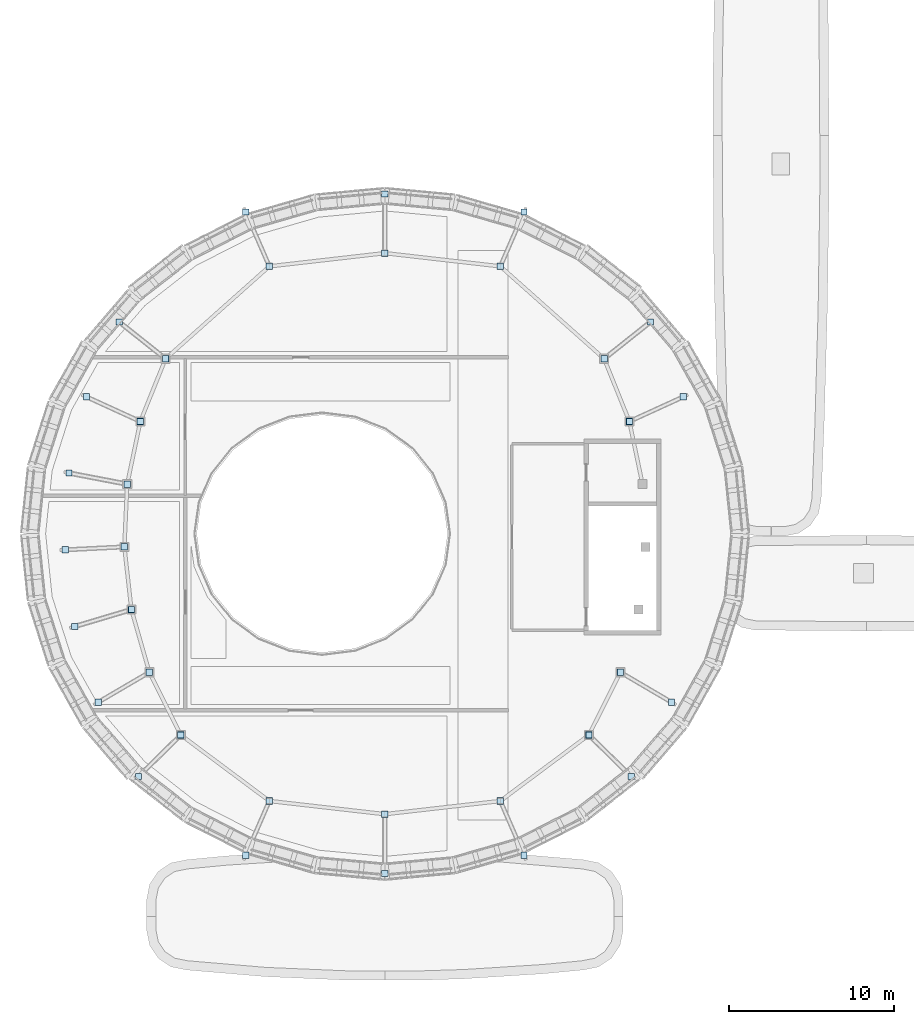
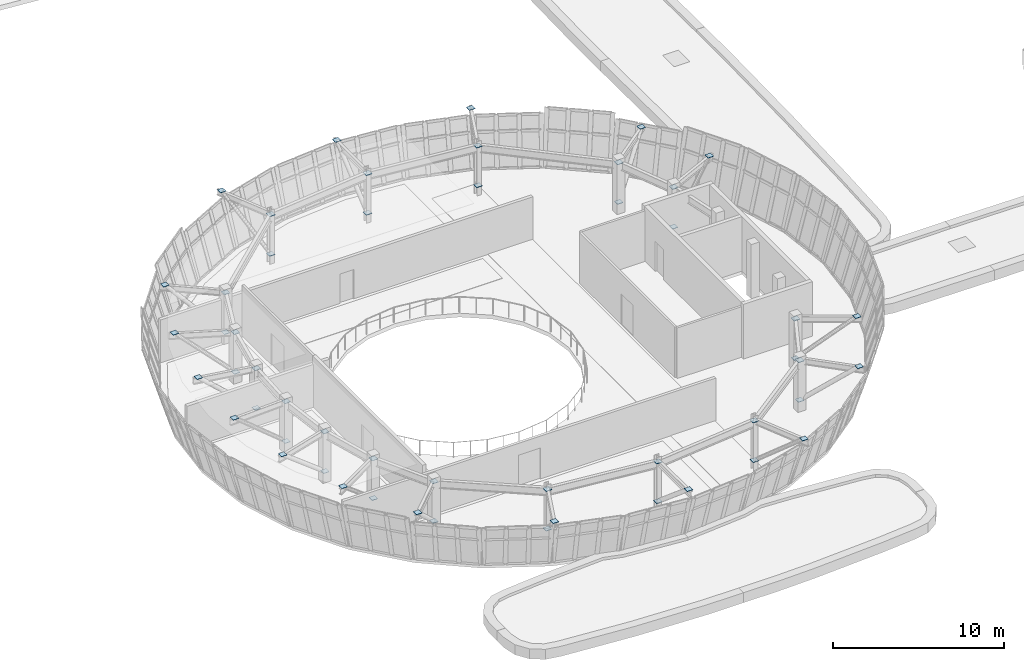
# One storey, part 81 of 111: 51 plates.
"""IFC4 building model written with IfcOpenShell, lengths in metres."""

from ifc_helpers import new_model, si_unit, direction, frame, origin, origin_2d, place, context, subcontext, project, spatial, rectangle, extrude, material, layer, layer_set, type_object, element, save


model = new_model("IFC4")

# Units and contexts
model_context = context("Model", 3, precision=1e-05, world=origin(), true_north=direction((0.0, 1.0)))
body_context = subcontext(model_context, "Body", "Model", "MODEL_VIEW")
ifc_project = project(units=[si_unit("LENGTHUNIT", "METRE"), si_unit("AREAUNIT", "SQUARE_METRE"), si_unit("VOLUMEUNIT", "CUBIC_METRE"), si_unit("PLANEANGLEUNIT", "RADIAN"), si_unit("MASSUNIT", "GRAM", prefix="KILO")], contexts=[model_context])

# Site, building, storey
site_placement = place(None, origin())
site = spatial("IfcSite", under=ifc_project, at=site_placement, CompositionType="ELEMENT")
building_placement = place(site_placement, origin())
building = spatial("IfcBuilding", under=site, at=building_placement, Name="Corveleigh Park Community Centre", CompositionType="ELEMENT")
storey_placement = place(building_placement, frame((0.0, 0.0, 4.800048828125)))
storey = spatial("IfcBuildingStorey", under=building, at=storey_placement, Name="L01", CompositionType="ELEMENT", Elevation=4.800048828125)

# Plates
ifc_material = material(Name="Steel S355", Category="steel")
ifc_layer = layer(ifc_material, 0.028076171875, Name="Steel S355", Category="steel")
ifc_layer_set = layer_set([ifc_layer], Name="Steel S355")
plate_type = type_object("IfcPlateType", Name="PLT-CAP-28", PredefinedType="SHEET", material=ifc_layer_set)
plate_1_placement = place(storey_placement, frame((24.0, 11.39990234375, 3.47509765625), z_axis=(0.0, 0.0, 1.0), x_axis=(1.0, 0.0, 0.0)))
element("IfcPlate", 1, at=plate_1_placement, inside=storey, type_object=plate_type, Name="V1 Outrigger 1 pier end plate", PredefinedType="SHEET", context=body_context, shape_type="SweptSolid", body=[
    extrude(rectangle(XDim=0.39990234375, YDim=0.39990234375, at=origin_2d()), origin(), (0.0, 0.0, 1.0), 0.028076171875),
])
for number, where, z_axis, x_axis, name in (
    (2, (24.0, 11.39990234375, 0.6357421875), (0.0, 0.0, 1.0), (1.0, 0.0, 0.0), "V1 Conical Overhang Raking Strut 1 base cap"),
    (3, (22.571044921875, 8.10888671875, 3.666015625), (0.0, 0.0, 1.0), (1.0, 0.0, 0.0), "V1 Conical Overhang Raking Strut 1 tip cap"),
):
    element("IfcPlate", number, at=place(storey_placement, frame(where, z_axis=z_axis, x_axis=x_axis)), inside=storey, type_object=plate_type, Name=name, PredefinedType="SHEET", context=body_context, shape_type="SweptSolid", body=[
        extrude(rectangle(XDim=0.3798828125, YDim=0.3798828125, at=origin_2d()), origin(), (0.0, 0.0, 1.0), 0.028076171875),
    ])
plate_2_placement = place(storey_placement, frame((31.0, 10.60009765625, 3.47509765625), z_axis=(0.0, 0.0, 1.0), x_axis=(1.0, 0.0, 0.0)))
element("IfcPlate", 4, at=plate_2_placement, inside=storey, type_object=plate_type, Name="V1 Outrigger 2 pier end plate", PredefinedType="SHEET", context=body_context, shape_type="SweptSolid", body=[
    extrude(rectangle(XDim=0.39990234375, YDim=0.39990234375, at=origin_2d()), origin(), (0.0, 0.0, 1.0), 0.028076171875),
])
for number, where, z_axis, x_axis, name in (
    (5, (31.0, 10.60009765625, 0.6357421875), (0.0, 0.0, 1.0), (1.0, 0.0, 0.0), "V1 Conical Overhang Raking Strut 2 base cap"),
    (6, (31.0, 7.011962890625, 3.666015625), (0.0, 0.0, 1.0), (1.0, 0.0, 0.0), "V1 Conical Overhang Raking Strut 2 tip cap"),
):
    element("IfcPlate", number, at=place(storey_placement, frame(where, z_axis=z_axis, x_axis=x_axis)), inside=storey, type_object=plate_type, Name=name, PredefinedType="SHEET", context=body_context, shape_type="SweptSolid", body=[
        extrude(rectangle(XDim=0.3798828125, YDim=0.3798828125, at=origin_2d()), origin(), (0.0, 0.0, 1.0), 0.028076171875),
    ])
plate_3_placement = place(storey_placement, frame((38.0, 11.39990234375, 3.47509765625), z_axis=(0.0, 0.0, 1.0), x_axis=(1.0, 0.0, 0.0)))
element("IfcPlate", 7, at=plate_3_placement, inside=storey, type_object=plate_type, Name="V1 Outrigger 3 pier end plate", PredefinedType="SHEET", context=body_context, shape_type="SweptSolid", body=[
    extrude(rectangle(XDim=0.39990234375, YDim=0.39990234375, at=origin_2d()), origin(), (0.0, 0.0, 1.0), 0.028076171875),
])
for number, where, z_axis, x_axis, name in (
    (8, (38.0, 11.39990234375, 0.6357421875), (0.0, 0.0, 1.0), (1.0, 0.0, 0.0), "V1 Conical Overhang Raking Strut 3 base cap"),
    (9, (39.428955078125, 8.10888671875, 3.666015625), (0.0, 0.0, 1.0), (1.0, 0.0, 0.0), "V1 Conical Overhang Raking Strut 3 tip cap"),
):
    element("IfcPlate", number, at=place(storey_placement, frame(where, z_axis=z_axis, x_axis=x_axis)), inside=storey, type_object=plate_type, Name=name, PredefinedType="SHEET", context=body_context, shape_type="SweptSolid", body=[
        extrude(rectangle(XDim=0.3798828125, YDim=0.3798828125, at=origin_2d()), origin(), (0.0, 0.0, 1.0), 0.028076171875),
    ])
plate_4_placement = place(storey_placement, frame((43.365966796875, 15.39990234375, 3.47509765625), z_axis=(0.0, 0.0, 1.0), x_axis=(1.0, 0.0, 0.0)))
element("IfcPlate", 10, at=plate_4_placement, inside=storey, type_object=plate_type, Name="V1 Outrigger 4 pier end plate", PredefinedType="SHEET", context=body_context, shape_type="SweptSolid", body=[
    extrude(rectangle(XDim=0.39990234375, YDim=0.39990234375, at=origin_2d()), origin(), (0.0, 0.0, 1.0), 0.028076171875),
])
for number, where, z_axis, x_axis, name in (
    (11, (43.365966796875, 15.39990234375, 0.6357421875), (0.0, 0.0, 1.0), (1.0, 0.0, 0.0), "V1 Conical Overhang Raking Strut 4 base cap"),
    (12, (45.925048828125, 12.885986328125, 3.666015625), (0.0, 0.0, 1.0), (1.0, 0.0, 0.0), "V1 Conical Overhang Raking Strut 4 tip cap"),
):
    element("IfcPlate", number, at=place(storey_placement, frame(where, z_axis=z_axis, x_axis=x_axis)), inside=storey, type_object=plate_type, Name=name, PredefinedType="SHEET", context=body_context, shape_type="SweptSolid", body=[
        extrude(rectangle(XDim=0.3798828125, YDim=0.3798828125, at=origin_2d()), origin(), (0.0, 0.0, 1.0), 0.028076171875),
    ])
plate_5_placement = place(storey_placement, frame((45.27490234375, 19.199951171875, 3.47509765625), z_axis=(0.0, 0.0, 1.0), x_axis=(1.0, 0.0, 0.0)))
element("IfcPlate", 13, at=plate_5_placement, inside=storey, type_object=plate_type, Name="V1 Outrigger 5 pier end plate", PredefinedType="SHEET", context=body_context, shape_type="SweptSolid", body=[
    extrude(rectangle(XDim=0.39990234375, YDim=0.39990234375, at=origin_2d()), origin(), (0.0, 0.0, 1.0), 0.028076171875),
])
for number, where, z_axis, x_axis, name in (
    (14, (45.27490234375, 19.199951171875, 0.6357421875), (0.0, 0.0, 1.0), (1.0, 0.0, 0.0), "V1 Conical Overhang Raking Strut 5 base cap"),
    (15, (48.37109375, 17.385986328125, 3.666015625), (0.0, 0.0, 1.0), (1.0, 0.0, 0.0), "V1 Conical Overhang Raking Strut 5 tip cap"),
):
    element("IfcPlate", number, at=place(storey_placement, frame(where, z_axis=z_axis, x_axis=x_axis)), inside=storey, type_object=plate_type, Name=name, PredefinedType="SHEET", context=body_context, shape_type="SweptSolid", body=[
        extrude(rectangle(XDim=0.3798828125, YDim=0.3798828125, at=origin_2d()), origin(), (0.0, 0.0, 1.0), 0.028076171875),
    ])
plate_6_placement = place(storey_placement, frame((45.819091796875, 34.39990234375, 3.47509765625), z_axis=(0.0, 0.0, 1.0), x_axis=(1.0, 0.0, 0.0)))
element("IfcPlate", 16, at=plate_6_placement, inside=storey, type_object=plate_type, Name="V1 Outrigger 9 pier end plate", PredefinedType="SHEET", context=body_context, shape_type="SweptSolid", body=[
    extrude(rectangle(XDim=0.39990234375, YDim=0.39990234375, at=origin_2d()), origin(), (0.0, 0.0, 1.0), 0.028076171875),
])
for number, where, z_axis, x_axis, name in (
    (17, (45.819091796875, 34.39990234375, 0.6357421875), (0.0, 0.0, 1.0), (1.0, 0.0, 0.0), "V1 Conical Overhang Raking Strut 9 base cap"),
    (18, (49.08203125, 35.89111328125, 3.666015625), (0.0, 0.0, 1.0), (1.0, 0.0, 0.0), "V1 Conical Overhang Raking Strut 9 tip cap"),
):
    element("IfcPlate", number, at=place(storey_placement, frame(where, z_axis=z_axis, x_axis=x_axis)), inside=storey, type_object=plate_type, Name=name, PredefinedType="SHEET", context=body_context, shape_type="SweptSolid", body=[
        extrude(rectangle(XDim=0.3798828125, YDim=0.3798828125, at=origin_2d()), origin(), (0.0, 0.0, 1.0), 0.028076171875),
    ])
plate_7_placement = place(storey_placement, frame((44.2900390625, 38.199951171875, 3.47509765625), z_axis=(0.0, 0.0, 1.0), x_axis=(1.0, 0.0, 0.0)))
element("IfcPlate", 19, at=plate_7_placement, inside=storey, type_object=plate_type, Name="V1 Outrigger 10 pier end plate", PredefinedType="SHEET", context=body_context, shape_type="SweptSolid", body=[
    extrude(rectangle(XDim=0.39990234375, YDim=0.39990234375, at=origin_2d()), origin(), (0.0, 0.0, 1.0), 0.028076171875),
])
for number, where, z_axis, x_axis, name in (
    (20, (44.2900390625, 38.199951171875, 0.6357421875), (0.0, 0.0, 1.0), (1.0, 0.0, 0.0), "V1 Conical Overhang Raking Strut 10 base cap"),
    (21, (47.10009765625, 40.431884765625, 3.666015625), (0.0, 0.0, 1.0), (1.0, 0.0, 0.0), "V1 Conical Overhang Raking Strut 10 tip cap"),
):
    element("IfcPlate", number, at=place(storey_placement, frame(where, z_axis=z_axis, x_axis=x_axis)), inside=storey, type_object=plate_type, Name=name, PredefinedType="SHEET", context=body_context, shape_type="SweptSolid", body=[
        extrude(rectangle(XDim=0.3798828125, YDim=0.3798828125, at=origin_2d()), origin(), (0.0, 0.0, 1.0), 0.028076171875),
    ])
plate_8_placement = place(storey_placement, frame((38.0, 43.800048828125, 3.47509765625), z_axis=(0.0, 0.0, 1.0), x_axis=(1.0, 0.0, 0.0)))
element("IfcPlate", 22, at=plate_8_placement, inside=storey, type_object=plate_type, Name="V1 Outrigger 11 pier end plate", PredefinedType="SHEET", context=body_context, shape_type="SweptSolid", body=[
    extrude(rectangle(XDim=0.39990234375, YDim=0.39990234375, at=origin_2d()), origin(), (0.0, 0.0, 1.0), 0.028076171875),
])
for number, where, z_axis, x_axis, name in (
    (23, (38.0, 43.800048828125, 0.6357421875), (0.0, 0.0, 1.0), (1.0, 0.0, 0.0), "V1 Conical Overhang Raking Strut 11 base cap"),
    (24, (39.428955078125, 47.091064453125, 3.666015625), (0.0, 0.0, 1.0), (1.0, 0.0, 0.0), "V1 Conical Overhang Raking Strut 11 tip cap"),
):
    element("IfcPlate", number, at=place(storey_placement, frame(where, z_axis=z_axis, x_axis=x_axis)), inside=storey, type_object=plate_type, Name=name, PredefinedType="SHEET", context=body_context, shape_type="SweptSolid", body=[
        extrude(rectangle(XDim=0.3798828125, YDim=0.3798828125, at=origin_2d()), origin(), (0.0, 0.0, 1.0), 0.028076171875),
    ])
plate_9_placement = place(storey_placement, frame((31.0, 44.60009765625, 3.47509765625), z_axis=(0.0, 0.0, 1.0), x_axis=(1.0, 0.0, 0.0)))
element("IfcPlate", 25, at=plate_9_placement, inside=storey, type_object=plate_type, Name="V1 Outrigger 12 pier end plate", PredefinedType="SHEET", context=body_context, shape_type="SweptSolid", body=[
    extrude(rectangle(XDim=0.39990234375, YDim=0.39990234375, at=origin_2d()), origin(), (0.0, 0.0, 1.0), 0.028076171875),
])
for number, where, z_axis, x_axis, name in (
    (26, (31.0, 44.60009765625, 0.6357421875), (0.0, 0.0, 1.0), (1.0, 0.0, 0.0), "V1 Conical Overhang Raking Strut 12 base cap"),
    (27, (31.0, 48.18798828125, 3.666015625), (0.0, 0.0, 1.0), (1.0, 0.0, 0.0), "V1 Conical Overhang Raking Strut 12 tip cap"),
):
    element("IfcPlate", number, at=place(storey_placement, frame(where, z_axis=z_axis, x_axis=x_axis)), inside=storey, type_object=plate_type, Name=name, PredefinedType="SHEET", context=body_context, shape_type="SweptSolid", body=[
        extrude(rectangle(XDim=0.3798828125, YDim=0.3798828125, at=origin_2d()), origin(), (0.0, 0.0, 1.0), 0.028076171875),
    ])
plate_10_placement = place(storey_placement, frame((24.0, 43.800048828125, 3.47509765625), z_axis=(0.0, 0.0, 1.0), x_axis=(1.0, 0.0, 0.0)))
element("IfcPlate", 28, at=plate_10_placement, inside=storey, type_object=plate_type, Name="V1 Outrigger 13 pier end plate", PredefinedType="SHEET", context=body_context, shape_type="SweptSolid", body=[
    extrude(rectangle(XDim=0.39990234375, YDim=0.39990234375, at=origin_2d()), origin(), (0.0, 0.0, 1.0), 0.028076171875),
])
for number, where, z_axis, x_axis, name in (
    (29, (24.0, 43.800048828125, 0.6357421875), (0.0, 0.0, 1.0), (1.0, 0.0, 0.0), "V1 Conical Overhang Raking Strut 13 base cap"),
    (30, (22.571044921875, 47.091064453125, 3.666015625), (0.0, 0.0, 1.0), (1.0, 0.0, 0.0), "V1 Conical Overhang Raking Strut 13 tip cap"),
):
    element("IfcPlate", number, at=place(storey_placement, frame(where, z_axis=z_axis, x_axis=x_axis)), inside=storey, type_object=plate_type, Name=name, PredefinedType="SHEET", context=body_context, shape_type="SweptSolid", body=[
        extrude(rectangle(XDim=0.3798828125, YDim=0.3798828125, at=origin_2d()), origin(), (0.0, 0.0, 1.0), 0.028076171875),
    ])
plate_11_placement = place(storey_placement, frame((17.7099609375, 38.199951171875, 3.47509765625), z_axis=(0.0, 0.0, 1.0), x_axis=(1.0, 0.0, 0.0)))
element("IfcPlate", 31, at=plate_11_placement, inside=storey, type_object=plate_type, Name="V1 Outrigger 14 pier end plate", PredefinedType="SHEET", context=body_context, shape_type="SweptSolid", body=[
    extrude(rectangle(XDim=0.39990234375, YDim=0.39990234375, at=origin_2d()), origin(), (0.0, 0.0, 1.0), 0.028076171875),
])
for number, where, z_axis, x_axis, name in (
    (32, (17.7099609375, 38.199951171875, 0.6357421875), (0.0, 0.0, 1.0), (1.0, 0.0, 0.0), "V1 Conical Overhang Raking Strut 14 base cap"),
    (33, (14.89990234375, 40.431884765625, 3.666015625), (0.0, 0.0, 1.0), (1.0, 0.0, 0.0), "V1 Conical Overhang Raking Strut 14 tip cap"),
):
    element("IfcPlate", number, at=place(storey_placement, frame(where, z_axis=z_axis, x_axis=x_axis)), inside=storey, type_object=plate_type, Name=name, PredefinedType="SHEET", context=body_context, shape_type="SweptSolid", body=[
        extrude(rectangle(XDim=0.3798828125, YDim=0.3798828125, at=origin_2d()), origin(), (0.0, 0.0, 1.0), 0.028076171875),
    ])
plate_12_placement = place(storey_placement, frame((16.180908203125, 34.39990234375, 3.47509765625), z_axis=(0.0, 0.0, 1.0), x_axis=(1.0, 0.0, 0.0)))
element("IfcPlate", 34, at=plate_12_placement, inside=storey, type_object=plate_type, Name="V1 Outrigger 15 pier end plate", PredefinedType="SHEET", context=body_context, shape_type="SweptSolid", body=[
    extrude(rectangle(XDim=0.39990234375, YDim=0.39990234375, at=origin_2d()), origin(), (0.0, 0.0, 1.0), 0.028076171875),
])
for number, where, z_axis, x_axis, name in (
    (35, (16.180908203125, 34.39990234375, 0.6357421875), (0.0, 0.0, 1.0), (1.0, 0.0, 0.0), "V1 Conical Overhang Raking Strut 15 base cap"),
    (36, (12.91796875, 35.89111328125, 3.666015625), (0.0, 0.0, 1.0), (1.0, 0.0, 0.0), "V1 Conical Overhang Raking Strut 15 tip cap"),
):
    element("IfcPlate", number, at=place(storey_placement, frame(where, z_axis=z_axis, x_axis=x_axis)), inside=storey, type_object=plate_type, Name=name, PredefinedType="SHEET", context=body_context, shape_type="SweptSolid", body=[
        extrude(rectangle(XDim=0.3798828125, YDim=0.3798828125, at=origin_2d()), origin(), (0.0, 0.0, 1.0), 0.028076171875),
    ])
plate_13_placement = place(storey_placement, frame((15.385986328125, 30.60009765625, 3.47509765625), z_axis=(0.0, 0.0, 1.0), x_axis=(1.0, 0.0, 0.0)))
element("IfcPlate", 37, at=plate_13_placement, inside=storey, type_object=plate_type, Name="V1 Outrigger 16 pier end plate", PredefinedType="SHEET", context=body_context, shape_type="SweptSolid", body=[
    extrude(rectangle(XDim=0.39990234375, YDim=0.39990234375, at=origin_2d()), origin(), (0.0, 0.0, 1.0), 0.028076171875),
])
for number, where, z_axis, x_axis, name in (
    (38, (15.385986328125, 30.60009765625, 0.6357421875), (0.0, 0.0, 1.0), (1.0, 0.0, 0.0), "V1 Conical Overhang Raking Strut 16 base cap"),
    (39, (11.862060546875, 31.27392578125, 3.666015625), (0.0, 0.0, 1.0), (1.0, 0.0, 0.0), "V1 Conical Overhang Raking Strut 16 tip cap"),
):
    element("IfcPlate", number, at=place(storey_placement, frame(where, z_axis=z_axis, x_axis=x_axis)), inside=storey, type_object=plate_type, Name=name, PredefinedType="SHEET", context=body_context, shape_type="SweptSolid", body=[
        extrude(rectangle(XDim=0.3798828125, YDim=0.3798828125, at=origin_2d()), origin(), (0.0, 0.0, 1.0), 0.028076171875),
    ])
plate_14_placement = place(storey_placement, frame((15.212890625, 26.800048828125, 3.47509765625), z_axis=(0.0, 0.0, 1.0), x_axis=(1.0, 0.0, 0.0)))
element("IfcPlate", 40, at=plate_14_placement, inside=storey, type_object=plate_type, Name="V1 Outrigger 17 pier end plate", PredefinedType="SHEET", context=body_context, shape_type="SweptSolid", body=[
    extrude(rectangle(XDim=0.39990234375, YDim=0.39990234375, at=origin_2d()), origin(), (0.0, 0.0, 1.0), 0.028076171875),
])
for number, where, z_axis, x_axis, name in (
    (41, (15.212890625, 26.800048828125, 0.6357421875), (0.0, 0.0, 1.0), (1.0, 0.0, 0.0), "V1 Conical Overhang Raking Strut 17 base cap"),
    (42, (11.6298828125, 26.6201171875, 3.666015625), (0.0, 0.0, 1.0), (1.0, 0.0, 0.0), "V1 Conical Overhang Raking Strut 17 tip cap"),
):
    element("IfcPlate", number, at=place(storey_placement, frame(where, z_axis=z_axis, x_axis=x_axis)), inside=storey, type_object=plate_type, Name=name, PredefinedType="SHEET", context=body_context, shape_type="SweptSolid", body=[
        extrude(rectangle(XDim=0.3798828125, YDim=0.3798828125, at=origin_2d()), origin(), (0.0, 0.0, 1.0), 0.028076171875),
    ])
plate_15_placement = place(storey_placement, frame((15.64111328125, 23.0, 3.47509765625), z_axis=(0.0, 0.0, 1.0), x_axis=(1.0, 0.0, 0.0)))
element("IfcPlate", 43, at=plate_15_placement, inside=storey, type_object=plate_type, Name="V1 Outrigger 18 pier end plate", PredefinedType="SHEET", context=body_context, shape_type="SweptSolid", body=[
    extrude(rectangle(XDim=0.39990234375, YDim=0.39990234375, at=origin_2d()), origin(), (0.0, 0.0, 1.0), 0.028076171875),
])
for number, where, z_axis, x_axis, name in (
    (44, (15.64111328125, 23.0, 0.6357421875), (0.0, 0.0, 1.0), (1.0, 0.0, 0.0), "V1 Conical Overhang Raking Strut 18 base cap"),
    (45, (12.202880859375, 21.97412109375, 3.666015625), (0.0, 0.0, 1.0), (1.0, 0.0, 0.0), "V1 Conical Overhang Raking Strut 18 tip cap"),
):
    element("IfcPlate", number, at=place(storey_placement, frame(where, z_axis=z_axis, x_axis=x_axis)), inside=storey, type_object=plate_type, Name=name, PredefinedType="SHEET", context=body_context, shape_type="SweptSolid", body=[
        extrude(rectangle(XDim=0.3798828125, YDim=0.3798828125, at=origin_2d()), origin(), (0.0, 0.0, 1.0), 0.028076171875),
    ])
plate_16_placement = place(storey_placement, frame((16.72509765625, 19.199951171875, 3.47509765625), z_axis=(0.0, 0.0, 1.0), x_axis=(1.0, 0.0, 0.0)))
element("IfcPlate", 46, at=plate_16_placement, inside=storey, type_object=plate_type, Name="V1 Outrigger 19 pier end plate", PredefinedType="SHEET", context=body_context, shape_type="SweptSolid", body=[
    extrude(rectangle(XDim=0.39990234375, YDim=0.39990234375, at=origin_2d()), origin(), (0.0, 0.0, 1.0), 0.028076171875),
])
for number, where, z_axis, x_axis, name in (
    (47, (16.72509765625, 19.199951171875, 0.6357421875), (0.0, 0.0, 1.0), (1.0, 0.0, 0.0), "V1 Conical Overhang Raking Strut 19 base cap"),
    (48, (13.62890625, 17.385986328125, 3.666015625), (0.0, 0.0, 1.0), (1.0, 0.0, 0.0), "V1 Conical Overhang Raking Strut 19 tip cap"),
):
    element("IfcPlate", number, at=place(storey_placement, frame(where, z_axis=z_axis, x_axis=x_axis)), inside=storey, type_object=plate_type, Name=name, PredefinedType="SHEET", context=body_context, shape_type="SweptSolid", body=[
        extrude(rectangle(XDim=0.3798828125, YDim=0.3798828125, at=origin_2d()), origin(), (0.0, 0.0, 1.0), 0.028076171875),
    ])
plate_17_placement = place(storey_placement, frame((18.634033203125, 15.39990234375, 3.47509765625), z_axis=(0.0, 0.0, 1.0), x_axis=(1.0, 0.0, 0.0)))
element("IfcPlate", 49, at=plate_17_placement, inside=storey, type_object=plate_type, Name="V1 Outrigger 20 pier end plate", PredefinedType="SHEET", context=body_context, shape_type="SweptSolid", body=[
    extrude(rectangle(XDim=0.39990234375, YDim=0.39990234375, at=origin_2d()), origin(), (0.0, 0.0, 1.0), 0.028076171875),
])
for number, where, z_axis, x_axis, name in (
    (50, (18.634033203125, 15.39990234375, 0.6357421875), (0.0, 0.0, 1.0), (1.0, 0.0, 0.0), "V1 Conical Overhang Raking Strut 20 base cap"),
    (51, (16.074951171875, 12.885986328125, 3.666015625), (0.0, 0.0, 1.0), (1.0, 0.0, 0.0), "V1 Conical Overhang Raking Strut 20 tip cap"),
):
    element("IfcPlate", number, at=place(storey_placement, frame(where, z_axis=z_axis, x_axis=x_axis)), inside=storey, type_object=plate_type, Name=name, PredefinedType="SHEET", context=body_context, shape_type="SweptSolid", body=[
        extrude(rectangle(XDim=0.3798828125, YDim=0.3798828125, at=origin_2d()), origin(), (0.0, 0.0, 1.0), 0.028076171875),
    ])

save(model, "model.ifc")
